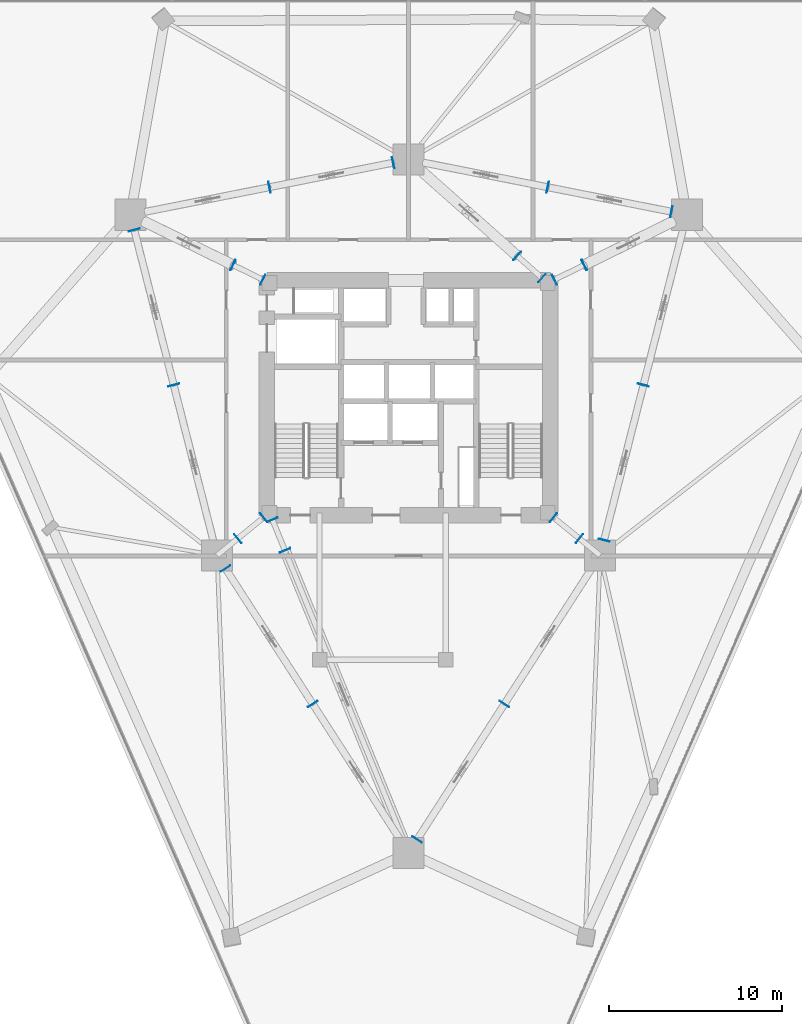
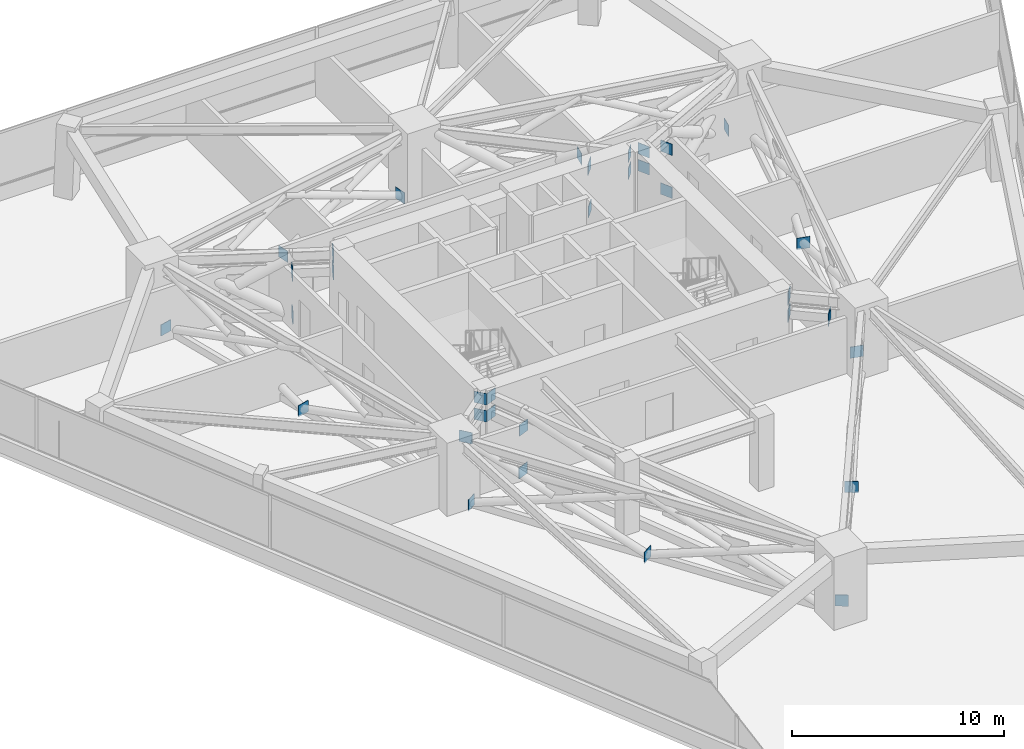
# One storey, part 16 of 20: 34 plates.
"""IFC4 building model written with IfcOpenShell, lengths in metres."""

from ifc_helpers import new_model, si_unit, direction, frame, origin, origin_2d, place, context, subcontext, project, spatial, rectangle, extrude, material, layer, layer_set, type_object, element, save


model = new_model("IFC4")

# Units and contexts
model_context = context("Model", 3, precision=1e-05, world=origin(), true_north=direction((0.0, 1.0)))
body_context = subcontext(model_context, "Body", "Model", "MODEL_VIEW")
ifc_project = project(units=[si_unit("LENGTHUNIT", "METRE"), si_unit("AREAUNIT", "SQUARE_METRE"), si_unit("VOLUMEUNIT", "CUBIC_METRE"), si_unit("PLANEANGLEUNIT", "RADIAN"), si_unit("MASSUNIT", "GRAM", prefix="KILO")], contexts=[model_context])

# Site, building, storey
site_placement = place(None, origin())
site = spatial("IfcSite", under=ifc_project, at=site_placement, CompositionType="ELEMENT")
building_placement = place(site_placement, origin())
building = spatial("IfcBuilding", under=site, at=building_placement, Name="Talyreon Biosciences Tower", CompositionType="ELEMENT")
storey_placement = place(building_placement, frame((0.0, 0.0, 70.800048828125)))
storey = spatial("IfcBuildingStorey", under=building, at=storey_placement, Name="L18", CompositionType="ELEMENT", Elevation=70.800048828125)

# Plates
ifc_material = material(Name="Steel SM355", Category="steel")
ifc_layer = layer(ifc_material, 0.028076171875)
ifc_layer_set = layer_set([ifc_layer], Name="Steel SM355")
plate_type = type_object("IfcPlateType", Name="HollowEndCapPlate_28", PredefinedType="SHEET", material=ifc_layer_set)
for number, where, z_axis, x_axis, name in (
    (1, (58.11474609375, 60.947509765625, 3.35009765625), (0.0, 0.0, 1.0), (0.925580150933, 0.378551692902, 0.0), "Truss node plate NP-L18-OC-1"),
    (2, (58.11474609375, 60.947509765625, 2.375), (0.0, 0.0, 1.0), (0.925580150933, 0.378551692902, 0.0), "Truss node plate NP-L18-OCM0-1"),
    (3, (58.844970703125, 59.161865234375, 2.375), (0.0, 0.0, 1.0), (0.925580150933, 0.378551692902, 0.0), "Truss node plate NP-L18-OCM1-1"),
    (4, (58.839599609375, 59.1748046875, -0.0849609375), (0.0, 0.0, 1.0), (0.925586757766, 0.378535538423, 0.0), "Truss node plate NP-OUT-L18-R1-E"),
    (5, (74.387451171875, 61.075439453125, 3.35009765625), (0.0, 0.0, 1.0), (0.631000821652, 0.775782162127, 0.0), "Truss node plate NP-L18-OC-2"),
    (6, (74.387451171875, 61.075439453125, 2.375), (0.0, 0.0, 1.0), (0.631000821652, 0.775782162127, 0.0), "Truss node plate NP-L18-OCM0-2"),
    (7, (75.884033203125, 59.8583984375, 2.375), (0.0, 0.0, 1.0), (0.631000821652, 0.775782162127, 0.0), "Truss node plate NP-L18-OCM1-2"),
    (8, (74.440673828125, 74.841552734375, 3.35009765625), (0.0, 0.0, 1.0), (-0.440283955252, 0.89785858505, 0.0), "Truss node plate NP-L18-OC-3"),
    (9, (74.440673828125, 74.841552734375, 2.375), (0.0, 0.0, 1.0), (-0.440283955252, 0.89785858505, 0.0), "Truss node plate NP-L18-OCM0-3"),
    (10, (76.172607421875, 75.69091796875, 2.375), (0.0, 0.0, 1.0), (-0.440283955252, 0.89785858505, 0.0), "Truss node plate NP-L18-OCM1-3"),
    (11, (76.159912109375, 75.684814453125, -0.0849609375), (0.0, 0.0, 1.0), (-0.440283955252, 0.89785858505, 0.0), "Truss node plate NP-OUT-L18-R3-E"),
    (12, (73.724609375, 74.938720703125, 3.35009765625), (0.0, 0.0, 1.0), (-0.663495401773, -0.748180360492, 0.0), "Truss node plate NP-L18-OC-4"),
    (13, (73.724609375, 74.938720703125, 2.375), (0.0, 0.0, 1.0), (-0.663495401773, -0.748180360492, 0.0), "Truss node plate NP-L18-OCM0-4"),
    (14, (72.28125, 76.218505859375, 2.375), (0.0, 0.0, 1.0), (-0.663495401773, -0.748180360492, 0.0), "Truss node plate NP-L18-OCM1-4"),
    (15, (72.291748046875, 76.209228515625, -0.0849609375), (0.0, 0.0, 1.0), (-0.663495401773, -0.748180360492, 0.0), "Truss node plate NP-OUT-L18-R4-E"),
    (16, (57.559326171875, 74.841552734375, 3.35009765625), (0.0, 0.0, 1.0), (-0.440283955252, -0.89785858505, 0.0), "Truss node plate NP-L18-OC-5"),
    (17, (57.559326171875, 74.841552734375, 2.375), (0.0, 0.0, 1.0), (-0.440283955252, -0.89785858505, 0.0), "Truss node plate NP-L18-OCM0-5"),
    (18, (55.827392578125, 75.69091796875, 2.375), (0.0, 0.0, 1.0), (-0.440283955252, -0.89785858505, 0.0), "Truss node plate NP-L18-OCM1-5"),
    (19, (55.840087890625, 75.684814453125, -0.0849609375), (0.0, 0.0, 1.0), (-0.440283955252, -0.89785858505, 0.0), "Truss node plate NP-OUT-L18-R5-E"),
    (20, (57.612548828125, 61.075439453125, 3.35009765625), (0.0, 0.0, 1.0), (0.631000821652, -0.775782162127, 0.0), "Truss node plate NP-L18-OC-6"),
    (21, (57.612548828125, 61.075439453125, 2.375), (0.0, 0.0, 1.0), (0.631000821652, -0.775782162127, 0.0), "Truss node plate NP-L18-OCM0-6"),
    (22, (56.115966796875, 59.8583984375, 2.375), (0.0, 0.0, 1.0), (0.631000821652, -0.775782162127, 0.0), "Truss node plate NP-L18-OCM1-6"),
    (23, (66.49267578125, 42.431884765625, -0.0849609375), (0.0, 0.0, 1.0), (-0.840727294555, 0.54145878531, 0.0), "Truss node plate NP-BELT-L18-B1S1-E"),
    (24, (71.543212890625, 50.273681640625, -0.0849609375), (0.0, 0.0, 1.0), (-0.840717844189, 0.541473458687, 0.0), "Truss node plate NP-BELT-L18-B1S2-E"),
    (25, (77.310546875, 59.76220703125, -0.0849609375), (0.0, 0.0, 1.0), (-0.969132019352, 0.246542347409, 0.0), "Truss node plate NP-BELT-L18-B2S1-E"),
    (26, (79.59423828125, 68.739501953125, -0.0849609375), (0.0, 0.0, 1.0), (-0.969132019352, 0.246542347409, 0.0), "Truss node plate NP-BELT-L18-B2S2-E"),
    (27, (81.209716796875, 78.775634765625, -0.0849609375), (0.0, 0.0, 1.0), (-0.194337075538, -0.980934809797, 0.0), "Truss node plate NP-BELT-L18-B3S1-E"),
    (28, (74.05126953125, 80.19384765625, -0.0849609375), (0.0, 0.0, 1.0), (-0.194337075538, -0.980934809797, 0.0), "Truss node plate NP-BELT-L18-B3S2-E"),
    (29, (65.107421875, 81.612060546875, -0.0849609375), (0.0, 0.0, 1.0), (0.194337075538, -0.980934809797, 0.0), "Truss node plate NP-BELT-L18-B4S1-E"),
    (30, (57.94873046875, 80.19384765625, -0.0849609375), (0.0, 0.0, 1.0), (0.194337075538, -0.980934809797, 0.0), "Truss node plate NP-BELT-L18-B4S2-E"),
    (31, (50.1220703125, 77.716796875, -0.0849609375), (0.0, 0.0, 1.0), (0.969132019352, 0.246542347409, 0.0), "Truss node plate NP-BELT-L18-B5S1-E"),
    (32, (52.40576171875, 68.739501953125, -0.0849609375), (0.0, 0.0, 1.0), (0.969132019352, 0.246542347409, 0.0), "Truss node plate NP-BELT-L18-B5S2-E"),
    (33, (55.406494140625, 58.115234375, -0.0849609375), (0.0, 0.0, 1.0), (0.840717844189, 0.541473458687, 0.0), "Truss node plate NP-BELT-L18-B6S1-E"),
    (34, (60.456787109375, 50.273681640625, -0.0849609375), (0.0, 0.0, 1.0), (0.840727294555, 0.54145878531, 0.0), "Truss node plate NP-BELT-L18-B6S2-E"),
):
    element("IfcPlate", number, at=place(storey_placement, frame(where, z_axis=z_axis, x_axis=x_axis)), inside=storey, type_object=plate_type, Name=name, PredefinedType="SHEET", context=body_context, shape_type="SweptSolid", body=[
        extrude(rectangle(XDim=0.64990234375, YDim=0.028076171875, at=origin_2d()), origin(), (0.0, 0.0, 1.0), 0.64990234375),
    ])

save(model, "model.ifc")
